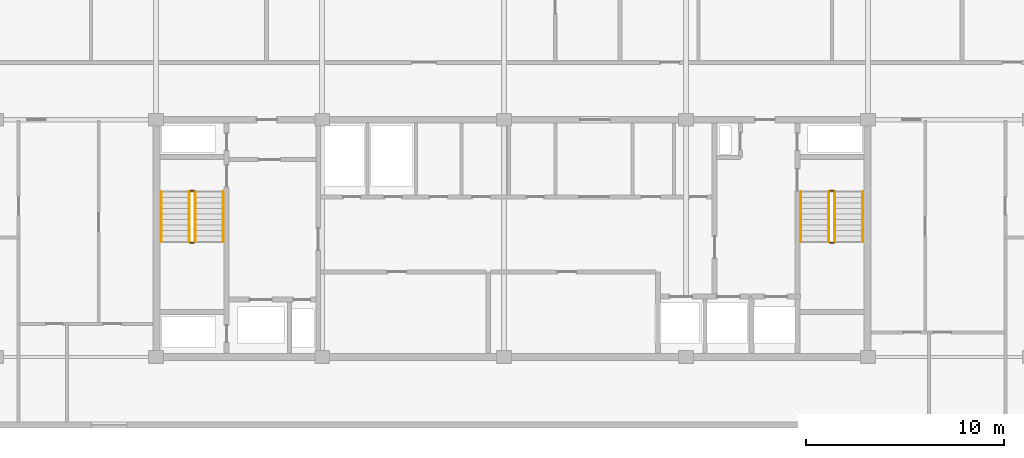
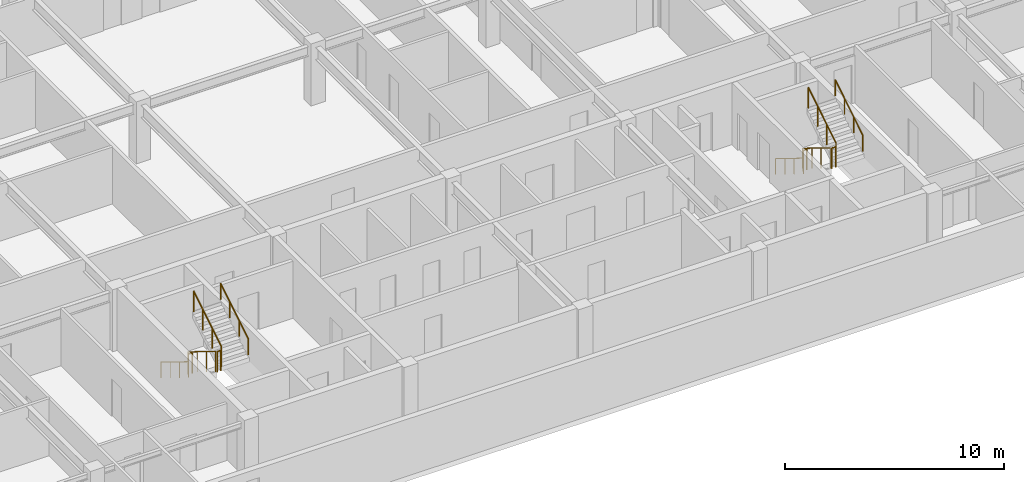
# One storey, part 9 of 10: 12 railings.
"""IFC4 building model written with IfcOpenShell, lengths in metres."""

from ifc_helpers import new_model, si_unit, direction, frame, origin, origin_2d, place, context, subcontext, project, spatial, circle, extrude, material, type_object, element, save


model = new_model("IFC4")

# Units and contexts
model_context = context("Model", 3, precision=1e-05, world=origin(), true_north=direction((0.0, 1.0)))
body_context = subcontext(model_context, "Body", "Model", "MODEL_VIEW")
ifc_project = project(units=[si_unit("LENGTHUNIT", "METRE"), si_unit("AREAUNIT", "SQUARE_METRE"), si_unit("VOLUMEUNIT", "CUBIC_METRE"), si_unit("PLANEANGLEUNIT", "RADIAN"), si_unit("MASSUNIT", "GRAM", prefix="KILO")], contexts=[model_context])

# Site, building, storey
site_placement = place(None, origin())
site = spatial("IfcSite", under=ifc_project, at=site_placement, CompositionType="ELEMENT")
building_placement = place(site_placement, origin())
building = spatial("IfcBuilding", under=site, at=building_placement, Name="Korimba Cascade Residences", CompositionType="ELEMENT")
storey_placement = place(building_placement, frame((0.0, 0.0, 232.10009765625)))
storey = spatial("IfcBuildingStorey", under=building, at=storey_placement, Name="L67", CompositionType="ELEMENT", Elevation=232.10009765625)

# Railings
ifc_material_1 = material(Name="Painted Steel Stairwell Guardrail", Category="steel")
railing_type_1 = type_object("IfcRailingType", Name="RLG-ST-GD1150", PredefinedType="GUARDRAIL", material=ifc_material_1)
railing_1_placement = place(storey_placement, frame((77.77001953125, 63.550048828125, 0.17236328125)))
element("IfcRailing", 1, at=railing_1_placement, inside=storey, type_object=railing_type_1, Name="L67 ST-W1 stair guard 1", PredefinedType="GUARDRAIL", context=body_context, shape_type="SweptSolid", body=[
    extrude(circle(Radius=0.02392578125, at=origin_2d()), frame((0.0, 0.0, 1.1259765625), z_axis=(0.0, -0.851400495292, 0.524516154772), x_axis=(1.0, 0.0, 0.0)), (0.0, 0.0, 1.0), 2.9599609375),
    extrude(circle(Radius=0.02099609375, at=origin_2d()), origin(), (0.0, 0.0, 1.0), 1.101806640625),
    extrude(circle(Radius=0.02099609375, at=origin_2d()), frame((0.0, -0.840087890625, 0.517578125)), (0.0, 0.0, 1.0), 1.101806640625),
    extrude(circle(Radius=0.02099609375, at=origin_2d()), frame((0.0, -1.679931640625, 1.034912109375)), (0.0, 0.0, 1.0), 1.101806640625),
    extrude(circle(Radius=0.02099609375, at=origin_2d()), frame((0.0, -2.52001953125, 1.552490234375)), (0.0, 0.0, 1.0), 1.101806640625),
])
railing_2_placement = place(storey_placement, frame((77.820068359375, 60.97998046875, 1.724853515625)))
element("IfcRailing", 2, at=railing_2_placement, inside=storey, type_object=railing_type_1, Name="L67 ST-W1 stair guard 2", PredefinedType="GUARDRAIL", context=body_context, shape_type="SweptSolid", body=[
    extrude(circle(Radius=0.02392578125, at=origin_2d()), frame((0.0, 0.0, 1.1259765625), z_axis=(1.0, 0.0, 0.0), x_axis=(0.0, 1.0, 0.0)), (0.0, 0.0, 1.0), 0.199951171875),
    extrude(circle(Radius=0.02099609375, at=origin_2d()), origin(), (0.0, 0.0, 1.0), 1.101806640625),
    extrude(circle(Radius=0.02099609375, at=origin_2d()), frame((0.199951171875, 0.0, 0.0)), (0.0, 0.0, 1.0), 1.101806640625),
])
railing_3_placement = place(storey_placement, frame((78.070068359375, 61.030029296875, 1.8974609375)))
element("IfcRailing", 3, at=railing_3_placement, inside=storey, type_object=railing_type_1, Name="L67 ST-W1 stair guard 3", PredefinedType="GUARDRAIL", context=body_context, shape_type="SweptSolid", body=[
    extrude(circle(Radius=0.02392578125, at=origin_2d()), frame((0.0, 0.0, 1.1259765625), z_axis=(0.0, 0.851400495292, 0.524516154772), x_axis=(-1.0, 0.0, 0.0)), (0.0, 0.0, 1.0), 2.9599609375),
    extrude(circle(Radius=0.02099609375, at=origin_2d()), origin(), (0.0, 0.0, 1.0), 1.101806640625),
    extrude(circle(Radius=0.02099609375, at=origin_2d()), frame((0.0, 0.840087890625, 0.517578125)), (0.0, 0.0, 1.0), 1.101806640625),
    extrude(circle(Radius=0.02099609375, at=origin_2d()), frame((0.0, 1.679931640625, 1.034912109375)), (0.0, 0.0, 1.0), 1.101806640625),
    extrude(circle(Radius=0.02099609375, at=origin_2d()), frame((0.0, 2.52001953125, 1.552490234375)), (0.0, 0.0, 1.0), 1.101806640625),
])
railing_4_placement = place(storey_placement, frame((77.820068359375, 63.60009765625, 0.0)))
element("IfcRailing", 4, at=railing_4_placement, inside=storey, type_object=railing_type_1, Name="L67 ST-W1 stair guard 4", PredefinedType="GUARDRAIL", context=body_context, shape_type="SweptSolid", body=[
    extrude(circle(Radius=0.02392578125, at=origin_2d()), frame((0.0, 0.0, 1.1259765625), z_axis=(1.0, 0.0, 0.0), x_axis=(0.0, 1.0, 0.0)), (0.0, 0.0, 1.0), 0.199951171875),
    extrude(circle(Radius=0.02099609375, at=origin_2d()), origin(), (0.0, 0.0, 1.0), 1.101806640625),
    extrude(circle(Radius=0.02099609375, at=origin_2d()), frame((0.199951171875, 0.0, 0.0)), (0.0, 0.0, 1.0), 1.101806640625),
])
railing_5_placement = place(storey_placement, frame((110.1298828125, 63.550048828125, 0.17236328125)))
element("IfcRailing", 5, at=railing_5_placement, inside=storey, type_object=railing_type_1, Name="L67 ST-W2 stair guard 1", PredefinedType="GUARDRAIL", context=body_context, shape_type="SweptSolid", body=[
    extrude(circle(Radius=0.02392578125, at=origin_2d()), frame((0.0, 0.0, 1.1259765625), z_axis=(0.0, -0.851400495292, 0.524516154772), x_axis=(1.0, 0.0, 0.0)), (0.0, 0.0, 1.0), 2.9599609375),
    extrude(circle(Radius=0.02099609375, at=origin_2d()), origin(), (0.0, 0.0, 1.0), 1.101806640625),
    extrude(circle(Radius=0.02099609375, at=origin_2d()), frame((0.0, -0.840087890625, 0.517578125)), (0.0, 0.0, 1.0), 1.101806640625),
    extrude(circle(Radius=0.02099609375, at=origin_2d()), frame((0.0, -1.679931640625, 1.034912109375)), (0.0, 0.0, 1.0), 1.101806640625),
    extrude(circle(Radius=0.02099609375, at=origin_2d()), frame((0.0, -2.52001953125, 1.552490234375)), (0.0, 0.0, 1.0), 1.101806640625),
])
railing_6_placement = place(storey_placement, frame((110.179931640625, 60.97998046875, 1.724853515625)))
element("IfcRailing", 6, at=railing_6_placement, inside=storey, type_object=railing_type_1, Name="L67 ST-W2 stair guard 2", PredefinedType="GUARDRAIL", context=body_context, shape_type="SweptSolid", body=[
    extrude(circle(Radius=0.02392578125, at=origin_2d()), frame((0.0, 0.0, 1.1259765625), z_axis=(1.0, 0.0, 0.0), x_axis=(0.0, 1.0, 0.0)), (0.0, 0.0, 1.0), 0.199951171875),
    extrude(circle(Radius=0.02099609375, at=origin_2d()), origin(), (0.0, 0.0, 1.0), 1.101806640625),
    extrude(circle(Radius=0.02099609375, at=origin_2d()), frame((0.199951171875, 0.0, 0.0)), (0.0, 0.0, 1.0), 1.101806640625),
])
railing_7_placement = place(storey_placement, frame((110.429931640625, 61.030029296875, 1.8974609375)))
element("IfcRailing", 7, at=railing_7_placement, inside=storey, type_object=railing_type_1, Name="L67 ST-W2 stair guard 3", PredefinedType="GUARDRAIL", context=body_context, shape_type="SweptSolid", body=[
    extrude(circle(Radius=0.02392578125, at=origin_2d()), frame((0.0, 0.0, 1.1259765625), z_axis=(0.0, 0.851400495292, 0.524516154772), x_axis=(-1.0, 0.0, 0.0)), (0.0, 0.0, 1.0), 2.9599609375),
    extrude(circle(Radius=0.02099609375, at=origin_2d()), origin(), (0.0, 0.0, 1.0), 1.101806640625),
    extrude(circle(Radius=0.02099609375, at=origin_2d()), frame((0.0, 0.840087890625, 0.517578125)), (0.0, 0.0, 1.0), 1.101806640625),
    extrude(circle(Radius=0.02099609375, at=origin_2d()), frame((0.0, 1.679931640625, 1.034912109375)), (0.0, 0.0, 1.0), 1.101806640625),
    extrude(circle(Radius=0.02099609375, at=origin_2d()), frame((0.0, 2.52001953125, 1.552490234375)), (0.0, 0.0, 1.0), 1.101806640625),
])
railing_8_placement = place(storey_placement, frame((110.179931640625, 63.60009765625, 0.0)))
element("IfcRailing", 8, at=railing_8_placement, inside=storey, type_object=railing_type_1, Name="L67 ST-W2 stair guard 4", PredefinedType="GUARDRAIL", context=body_context, shape_type="SweptSolid", body=[
    extrude(circle(Radius=0.02392578125, at=origin_2d()), frame((0.0, 0.0, 1.1259765625), z_axis=(1.0, 0.0, 0.0), x_axis=(0.0, 1.0, 0.0)), (0.0, 0.0, 1.0), 0.199951171875),
    extrude(circle(Radius=0.02099609375, at=origin_2d()), origin(), (0.0, 0.0, 1.0), 1.101806640625),
    extrude(circle(Radius=0.02099609375, at=origin_2d()), frame((0.199951171875, 0.0, 0.0)), (0.0, 0.0, 1.0), 1.101806640625),
])
ifc_material_2 = material(Name="Brushed Stainless Steel Handrail", Category="steel")
railing_type_2 = type_object("IfcRailingType", Name="RLG-ST-HR900", PredefinedType="HANDRAIL", material=ifc_material_2)
railing_9_placement = place(storey_placement, frame((76.35009765625, 63.550048828125, 0.348388671875)))
element("IfcRailing", 9, at=railing_9_placement, inside=storey, type_object=railing_type_2, Name="L67 ST-W1 stair handrail 1", PredefinedType="HANDRAIL", context=body_context, shape_type="SweptSolid", body=[
    extrude(circle(Radius=0.02392578125, at=origin_2d()), frame((0.0, 0.0, 0.8759765625), z_axis=(0.0, -0.851400495292, 0.524516154772), x_axis=(1.0, 0.0, 0.0)), (0.0, 0.0, 1.0), 2.9599609375),
    extrude(circle(Radius=0.02099609375, at=origin_2d()), origin(), (0.0, 0.0, 1.0), 0.851806640625),
    extrude(circle(Radius=0.02099609375, at=origin_2d()), frame((0.0, -0.840087890625, 0.517578125)), (0.0, 0.0, 1.0), 0.851806640625),
    extrude(circle(Radius=0.02099609375, at=origin_2d()), frame((0.0, -1.679931640625, 1.034912109375)), (0.0, 0.0, 1.0), 0.851806640625),
    extrude(circle(Radius=0.02099609375, at=origin_2d()), frame((0.0, -2.52001953125, 1.552490234375)), (0.0, 0.0, 1.0), 0.851806640625),
])
railing_10_placement = place(storey_placement, frame((79.489990234375, 61.030029296875, 2.073486328125)))
element("IfcRailing", 10, at=railing_10_placement, inside=storey, type_object=railing_type_2, Name="L67 ST-W1 stair handrail 2", PredefinedType="HANDRAIL", context=body_context, shape_type="SweptSolid", body=[
    extrude(circle(Radius=0.02392578125, at=origin_2d()), frame((0.0, 0.0, 0.8759765625), z_axis=(0.0, 0.851400495292, 0.524516154772), x_axis=(-1.0, 0.0, 0.0)), (0.0, 0.0, 1.0), 2.9599609375),
    extrude(circle(Radius=0.02099609375, at=origin_2d()), origin(), (0.0, 0.0, 1.0), 0.851806640625),
    extrude(circle(Radius=0.02099609375, at=origin_2d()), frame((0.0, 0.840087890625, 0.517578125)), (0.0, 0.0, 1.0), 0.851806640625),
    extrude(circle(Radius=0.02099609375, at=origin_2d()), frame((0.0, 1.679931640625, 1.034912109375)), (0.0, 0.0, 1.0), 0.851806640625),
    extrude(circle(Radius=0.02099609375, at=origin_2d()), frame((0.0, 2.52001953125, 1.552490234375)), (0.0, 0.0, 1.0), 0.851806640625),
])
railing_11_placement = place(storey_placement, frame((108.7099609375, 63.550048828125, 0.348388671875)))
element("IfcRailing", 11, at=railing_11_placement, inside=storey, type_object=railing_type_2, Name="L67 ST-W2 stair handrail 1", PredefinedType="HANDRAIL", context=body_context, shape_type="SweptSolid", body=[
    extrude(circle(Radius=0.02392578125, at=origin_2d()), frame((0.0, 0.0, 0.8759765625), z_axis=(0.0, -0.851400495292, 0.524516154772), x_axis=(1.0, 0.0, 0.0)), (0.0, 0.0, 1.0), 2.9599609375),
    extrude(circle(Radius=0.02099609375, at=origin_2d()), origin(), (0.0, 0.0, 1.0), 0.851806640625),
    extrude(circle(Radius=0.02099609375, at=origin_2d()), frame((0.0, -0.840087890625, 0.517578125)), (0.0, 0.0, 1.0), 0.851806640625),
    extrude(circle(Radius=0.02099609375, at=origin_2d()), frame((0.0, -1.679931640625, 1.034912109375)), (0.0, 0.0, 1.0), 0.851806640625),
    extrude(circle(Radius=0.02099609375, at=origin_2d()), frame((0.0, -2.52001953125, 1.552490234375)), (0.0, 0.0, 1.0), 0.851806640625),
])
railing_12_placement = place(storey_placement, frame((111.85009765625, 61.030029296875, 2.073486328125)))
element("IfcRailing", 12, at=railing_12_placement, inside=storey, type_object=railing_type_2, Name="L67 ST-W2 stair handrail 2", PredefinedType="HANDRAIL", context=body_context, shape_type="SweptSolid", body=[
    extrude(circle(Radius=0.02392578125, at=origin_2d()), frame((0.0, 0.0, 0.8759765625), z_axis=(0.0, 0.851400495292, 0.524516154772), x_axis=(-1.0, 0.0, 0.0)), (0.0, 0.0, 1.0), 2.9599609375),
    extrude(circle(Radius=0.02099609375, at=origin_2d()), origin(), (0.0, 0.0, 1.0), 0.851806640625),
    extrude(circle(Radius=0.02099609375, at=origin_2d()), frame((0.0, 0.840087890625, 0.517578125)), (0.0, 0.0, 1.0), 0.851806640625),
    extrude(circle(Radius=0.02099609375, at=origin_2d()), frame((0.0, 1.679931640625, 1.034912109375)), (0.0, 0.0, 1.0), 0.851806640625),
    extrude(circle(Radius=0.02099609375, at=origin_2d()), frame((0.0, 2.52001953125, 1.552490234375)), (0.0, 0.0, 1.0), 0.851806640625),
])

save(model, "model.ifc")
